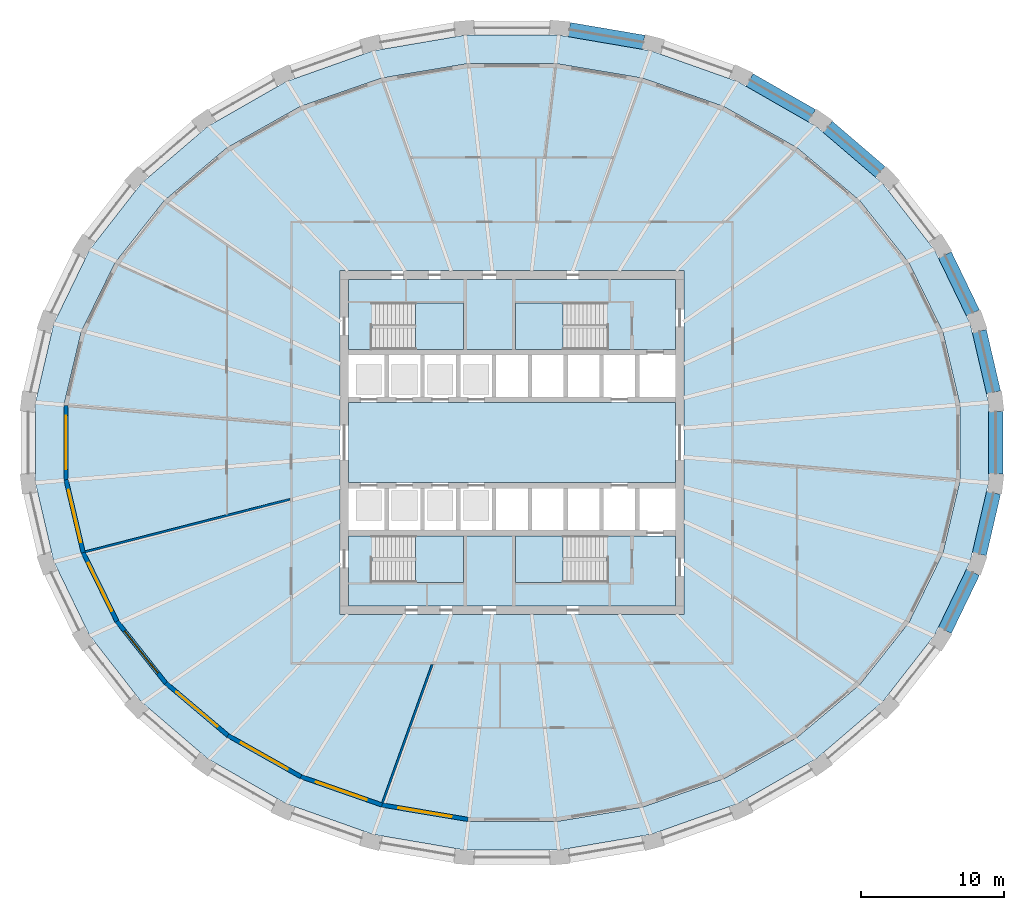
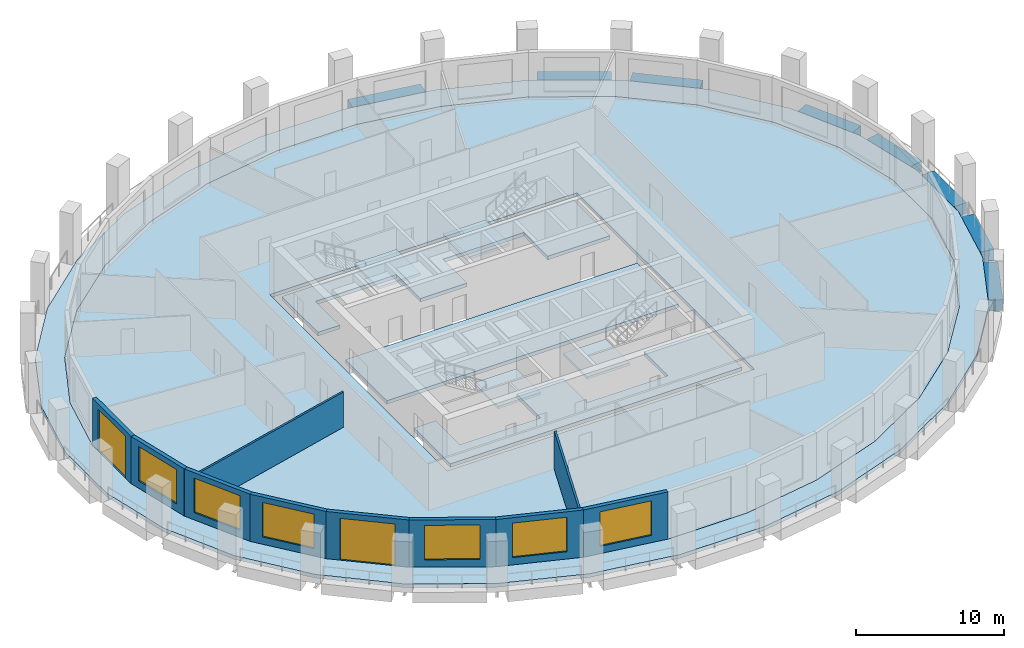
# One storey, part 2 of 10: 10 walls, 9 slabs, 8 beams, 6 windows, 2 doors, 8 openings, 4 elements without a shape of their own.
"""IFC4 building model written with IfcOpenShell, lengths in metres."""

from ifc_helpers import new_model, si_unit, direction, frame, frame_2d, origin, origin_2d, place, context, subcontext, project, spatial, polyline, rectangle, outline, extrude, material, layer, layer_set, material_profile, profile_set, type_object, element, fill, aggregate, save


model = new_model("IFC4")

# Units and contexts
model_context = context("Model", 3, precision=1e-05, world=origin(), true_north=direction((0.0, 1.0)))
body_context = subcontext(model_context, "Body", "Model", "MODEL_VIEW")
ifc_project = project(units=[si_unit("LENGTHUNIT", "METRE"), si_unit("AREAUNIT", "SQUARE_METRE"), si_unit("VOLUMEUNIT", "CUBIC_METRE"), si_unit("PLANEANGLEUNIT", "RADIAN"), si_unit("MASSUNIT", "GRAM", prefix="KILO")], contexts=[model_context])

# Site, building, storey
site_placement = place(None, origin())
site = spatial("IfcSite", under=ifc_project, at=site_placement, CompositionType="ELEMENT")
building_placement = place(site_placement, origin())
building = spatial("IfcBuilding", under=site, at=building_placement, Name="Halqa Exchange Tower", CompositionType="ELEMENT")
storey_placement = place(building_placement, frame((0.0, 0.0, 159.10009765625)))
storey = spatial("IfcBuildingStorey", under=building, at=storey_placement, Name="L36", CompositionType="ELEMENT", Elevation=159.10009765625)

# Beams
ifc_material_1 = material(Name="Concrete C60/75", Category="concrete")
ifc_material_profile = material_profile(ifc_material_1, rectangle(XDim=1.0, YDim=0.89990234375, at=origin_2d()), Name="1000 x 900")
ifc_profile_set = profile_set([ifc_material_profile], Name="Concrete C60/75")
beam_type = type_object("IfcBeamType", Name="RC spandrel beam 1000 x 900 C60/75", PredefinedType="SPANDREL", material=ifc_profile_set)
beam_1_placement = place(storey_placement, frame((33.60498046875, 3.508056640625, -0.4501953125), z_axis=(-0.226050480348, 0.974115588795, 0.0), x_axis=(-0.974115588795, -0.226050480348, 0.0)))
element("IfcBeam", 1, at=beam_1_placement, inside=storey, type_object=beam_type, Name="Spandrel 1", PredefinedType="SPANDREL", context=body_context, shape_type="SweptSolid", body=[
    extrude(rectangle(XDim=1.0, YDim=0.89990234375, at=origin_2d()), origin(), (0.0, 0.0, 1.0), 4.385986328125),
])
beam_2_placement = place(storey_placement, frame((32.166259765625, 9.048828125, -0.4501953125), z_axis=(-0.435099717308, 0.900382272148, 0.0), x_axis=(-0.900382272148, -0.435099717308, 0.0)))
element("IfcBeam", 2, at=beam_2_placement, inside=storey, type_object=beam_type, Name="Spandrel 2", PredefinedType="SPANDREL", context=body_context, shape_type="SweptSolid", body=[
    extrude(rectangle(XDim=1.0, YDim=0.89990234375, at=origin_2d()), origin(), (0.0, 0.0, 1.0), 4.497314453125),
])
beam_3_placement = place(storey_placement, frame((25.70849609375, 18.884521484375, -0.4501953125), z_axis=(-0.759260160399, 0.650787222394, 0.0), x_axis=(-0.650787222394, -0.759260160399, 0.0)))
element("IfcBeam", 3, at=beam_3_placement, inside=storey, type_object=beam_type, Name="Spandrel 4", PredefinedType="SPANDREL", context=body_context, shape_type="SweptSolid", body=[
    extrude(rectangle(XDim=1.0, YDim=0.89990234375, at=origin_2d()), origin(), (0.0, 0.0, 1.0), 4.843505859375),
])
beam_4_placement = place(storey_placement, frame((20.93359375, 22.810791015625, -0.4501953125), z_axis=(-0.867743165303, 0.497012876161, 0.0), x_axis=(-0.497012876161, -0.867743165303, 0.0)))
element("IfcBeam", 4, at=beam_4_placement, inside=storey, type_object=beam_type, Name="Spandrel 5", PredefinedType="SPANDREL", context=body_context, shape_type="SweptSolid", body=[
    extrude(rectangle(XDim=1.0, YDim=0.89990234375, at=origin_2d()), origin(), (0.0, 0.0, 1.0), 5.022705078125),
])
beam_5_placement = place(storey_placement, frame((9.1826171875, 27.936279296875, -0.4501953125), z_axis=(-0.985766792744, 0.168118500836, 0.0), x_axis=(-0.168118500836, -0.985766792744, 0.0)))
element("IfcBeam", 5, at=beam_5_placement, inside=storey, type_object=beam_type, Name="Spandrel 7", PredefinedType="SPANDREL", context=body_context, shape_type="SweptSolid", body=[
    extrude(rectangle(XDim=1.0, YDim=0.89990234375, at=origin_2d()), origin(), (0.0, 0.0, 1.0), 5.26708984375),
])
beam_6_placement = place(storey_placement, frame((30.20947265625, -13.09814453125, -0.4501953125), z_axis=(0.435099717308, 0.900382272148, 0.0), x_axis=(-0.900382272148, 0.435099717308, 0.0)))
element("IfcBeam", 6, at=beam_6_placement, inside=storey, type_object=beam_type, Name="Spandrel 30", PredefinedType="SPANDREL", context=body_context, shape_type="SweptSolid", body=[
    extrude(rectangle(XDim=1.0, YDim=0.89990234375, at=origin_2d()), origin(), (0.0, 0.0, 1.0), 4.497314453125),
])
beam_7_placement = place(storey_placement, frame((32.613525390625, -7.780517578125, -0.4501953125), z_axis=(0.226050480348, 0.974115588795, 0.0), x_axis=(-0.974115588795, 0.226050480348, 0.0)))
element("IfcBeam", 7, at=beam_7_placement, inside=storey, type_object=beam_type, Name="Spandrel 31", PredefinedType="SPANDREL", context=body_context, shape_type="SweptSolid", body=[
    extrude(rectangle(XDim=1.0, YDim=0.89990234375, at=origin_2d()), origin(), (0.0, 0.0, 1.0), 4.385986328125),
])
beam_8_placement = place(storey_placement, frame((33.7578125, -2.173828125, -0.4501953125), z_axis=(0.0, 1.0, 0.0), x_axis=(-1.0, 0.0, 0.0)))
element("IfcBeam", 8, at=beam_8_placement, inside=storey, type_object=beam_type, Name="Spandrel 32", PredefinedType="SPANDREL", context=body_context, shape_type="SweptSolid", body=[
    extrude(rectangle(XDim=1.0, YDim=0.89990234375, at=origin_2d()), origin(), (0.0, 0.0, 1.0), 4.34765625),
])

# Slabs
ifc_layer_1 = layer(ifc_material_1, 0.300048828125)
ifc_layer_set_1 = layer_set([ifc_layer_1], Name="Concrete C60/75")
slab_type_1 = type_object("IfcSlabType", Name="Core floor slab 300", PredefinedType="FLOOR", material=ifc_layer_set_1)
slab_1_placement = place(storey_placement, frame((0.0, 0.0, -0.300048828125)))
element("IfcSlab", 9, at=slab_1_placement, inside=storey, type_object=slab_type_1, Name="Core floor slab", PredefinedType="FLOOR", context=body_context, shape_type="SweptSolid", body=[
    extrude(outline(polyline([(-11.39990234375, 2.800048828125), (11.39990234375, 2.800048828125), (11.39990234375, -2.800048828125), (-11.39990234375, -2.800048828125), (-11.39990234375, 2.800048828125)])), origin(), (0.0, 0.0, 1.0), 0.300048828125),
])
slab_2_placement = place(storey_placement, frame((0.0, 0.0, -0.300048828125)))
element("IfcSlab", 10, at=slab_2_placement, inside=storey, type_object=slab_type_1, Name="Core floor slab", PredefinedType="FLOOR", context=body_context, shape_type="SweptSolid", body=[
    extrude(outline(polyline([(-11.39990234375, 11.39990234375), (11.39990234375, 11.39990234375), (11.39990234375, 6.5), (6.550048828125, 6.5), (6.550048828125, 9.75), (0.25, 9.75), (0.25, 6.5), (-3.39990234375, 6.5), (-3.39990234375, 9.75), (-9.699951171875, 9.75), (-9.699951171875, 6.5), (-11.39990234375, 6.5), (-11.39990234375, 11.39990234375)])), origin(), (0.0, 0.0, 1.0), 0.300048828125),
])
slab_3_placement = place(storey_placement, frame((0.0, 0.0, -0.300048828125)))
element("IfcSlab", 11, at=slab_3_placement, inside=storey, type_object=slab_type_1, Name="Core floor slab", PredefinedType="FLOOR", context=body_context, shape_type="SweptSolid", body=[
    extrude(outline(polyline([(-9.699951171875, -9.75), (-3.39990234375, -9.75), (-3.39990234375, -6.5), (0.25, -6.5), (0.25, -9.75), (6.550048828125, -9.75), (6.550048828125, -6.5), (11.39990234375, -6.5), (11.39990234375, -11.39990234375), (-11.39990234375, -11.39990234375), (-11.39990234375, -6.5), (-9.699951171875, -6.5), (-9.699951171875, -9.75)])), origin(), (0.0, 0.0, 1.0), 0.300048828125),
])
ifc_material_2 = material(Name="Concrete C40/50", Category="concrete")
ifc_layer_2 = layer(ifc_material_2, 0.300048828125)
ifc_layer_set_2 = layer_set([ifc_layer_2], Name="Concrete C40/50")
slab_type_2 = type_object("IfcSlabType", Name="RC floor slab 300", PredefinedType="FLOOR", material=ifc_layer_set_2)
slab_4_placement = place(storey_placement, frame((0.0, 0.0, -0.300048828125)))
element("IfcSlab", 12, at=slab_4_placement, inside=storey, type_object=slab_type_2, Name="Floor slab", PredefinedType="FLOOR", context=body_context, shape_type="SweptSolid", body=[
    extrude(outline(polyline([(31.271240234375, 2.6103515625), (30.065185546875, 7.72900390625), (27.70166015625, 12.547119140625), (24.2734375, 16.878662109375), (19.9150390625, 20.558349609375), (14.794677734375, 23.447021484375), (9.10888671875, 25.435302734375), (3.075439453125, 26.44873046875), (-3.075439453125, 26.44873046875), (-9.10888671875, 25.435302734375), (-14.794677734375, 23.447021484375), (-19.9150390625, 20.558349609375), (-24.2734375, 16.878662109375), (-27.70166015625, 12.547119140625), (-30.065185546875, 7.72900390625), (-31.271240234375, 2.6103515625), (-31.271240234375, -2.6103515625), (-30.065185546875, -7.72900390625), (-27.70166015625, -12.547119140625), (-24.2734375, -16.878662109375), (-19.9150390625, -20.558349609375), (-14.794677734375, -23.447021484375), (-9.10888671875, -25.435302734375), (-3.075439453125, -26.44873046875), (3.075439453125, -26.44873046875), (9.10888671875, -25.435302734375), (14.794677734375, -23.447021484375), (19.9150390625, -20.558349609375), (24.2734375, -16.878662109375), (27.70166015625, -12.547119140625), (30.065185546875, -7.72900390625), (31.271240234375, -2.6103515625), (31.271240234375, 2.6103515625)]), holes=[polyline([(-12.0, -12.0), (12.0, -12.0), (12.0, 12.0), (-12.0, 12.0), (-12.0, -12.0)])]), origin(), (0.0, 0.0, 1.0), 0.300048828125),
])
ifc_layer_3 = layer(ifc_material_2, 0.300048828125)
ifc_layer_set_3 = layer_set([ifc_layer_3], Name="Concrete C40/50")
slab_type_3 = type_object("IfcSlabType", Name="RC loggia slab 300", PredefinedType="FLOOR", material=ifc_layer_set_3)
slab_5_placement = place(storey_placement, frame((0.0, 0.0, -0.300048828125)))
element("IfcSlab", 13, at=slab_5_placement, inside=storey, type_object=slab_type_3, Name="Loggia slab", PredefinedType="FLOOR", context=body_context, shape_type="SweptSolid", body=[
    extrude(outline(polyline([(33.2578125, 2.79248046875), (33.2578125, -2.79248046875), (31.986083984375, -8.272705078125), (29.48876953125, -13.4404296875), (25.85791015625, -18.09814453125), (21.229736328125, -22.06494140625), (15.78076171875, -25.185791015625), (9.72021484375, -27.337646484375), (3.282470703125, -28.435302734375), (-3.282470703125, -28.435302734375), (-9.72021484375, -27.337646484375), (-15.78076171875, -25.185791015625), (-21.229736328125, -22.06494140625), (-25.85791015625, -18.09814453125), (-29.48876953125, -13.4404296875), (-31.986083984375, -8.272705078125), (-33.2578125, -2.79248046875), (-33.2578125, 2.79248046875), (-31.986083984375, 8.272705078125), (-29.48876953125, 13.4404296875), (-25.85791015625, 18.09814453125), (-21.229736328125, 22.06494140625), (-15.78076171875, 25.185791015625), (-9.72021484375, 27.337646484375), (-3.282470703125, 28.435302734375), (3.282470703125, 28.435302734375), (9.72021484375, 27.337646484375), (15.78076171875, 25.185791015625), (21.229736328125, 22.06494140625), (25.85791015625, 18.09814453125), (29.48876953125, 13.4404296875), (31.986083984375, 8.272705078125), (33.2578125, 2.79248046875)]), holes=[polyline([(31.271240234375, 2.6103515625), (30.065185546875, 7.72900390625), (27.70166015625, 12.547119140625), (24.2734375, 16.878662109375), (19.9150390625, 20.558349609375), (14.794677734375, 23.447021484375), (9.10888671875, 25.435302734375), (3.075439453125, 26.44873046875), (-3.075439453125, 26.44873046875), (-9.10888671875, 25.435302734375), (-14.794677734375, 23.447021484375), (-19.9150390625, 20.558349609375), (-24.2734375, 16.878662109375), (-27.70166015625, 12.547119140625), (-30.065185546875, 7.72900390625), (-31.271240234375, 2.6103515625), (-31.271240234375, -2.6103515625), (-30.065185546875, -7.72900390625), (-27.70166015625, -12.547119140625), (-24.2734375, -16.878662109375), (-19.9150390625, -20.558349609375), (-14.794677734375, -23.447021484375), (-9.10888671875, -25.435302734375), (-3.075439453125, -26.44873046875), (3.075439453125, -26.44873046875), (9.10888671875, -25.435302734375), (14.794677734375, -23.447021484375), (19.9150390625, -20.558349609375), (24.2734375, -16.878662109375), (27.70166015625, -12.547119140625), (30.065185546875, -7.72900390625), (31.271240234375, -2.6103515625), (31.271240234375, 2.6103515625)])]), origin(), (0.0, 0.0, 1.0), 0.300048828125),
])

# Stair, slab
ifc_material_3 = material(Name="Concrete C30/37", Category="concrete")
stair_type = type_object("IfcStairType", Name="Exit stair 1500 wide", PredefinedType="HALF_TURN_STAIR", material=ifc_material_3)
stair_1_placement = place(storey_placement, origin())
stair_1 = element("IfcStair", 14, at=stair_1_placement, inside=storey, type_object=stair_type, Name="Exit stair ST1", PredefinedType="HALF_TURN_STAIR")
ifc_layer_4 = layer(ifc_material_3, 0.199951171875)
ifc_layer_set_4 = layer_set([ifc_layer_4], Name="Concrete C30/37")
slab_type_4 = type_object("IfcSlabType", Name="Stair landing 200 slab", PredefinedType="LANDING", material=ifc_layer_set_4)
slab_6_placement = place(storey_placement, frame((0.0, 0.0, 1.89990234375)))
slab_6 = element("IfcSlab", 15, at=slab_6_placement, type_object=slab_type_4, Name="ST1 landing 1", PredefinedType="LANDING", context=body_context, shape_type="SweptSolid", body=[
    extrude(outline(polyline([(-6.719970703125, 6.5), (-3.39990234375, 6.5), (-3.39990234375, 9.75), (-6.719970703125, 9.75), (-6.719970703125, 6.5)])), origin(), (0.0, 0.0, 1.0), 0.199951171875),
])
aggregate(stair_1, [slab_6])

stair_2_placement = place(storey_placement, origin())
stair_2 = element("IfcStair", 16, at=stair_2_placement, inside=storey, type_object=stair_type, Name="Exit stair ST2", PredefinedType="HALF_TURN_STAIR")
slab_7_placement = place(storey_placement, frame((0.0, 0.0, 1.89990234375)))
slab_7 = element("IfcSlab", 17, at=slab_7_placement, type_object=slab_type_4, Name="ST2 landing 1", PredefinedType="LANDING", context=body_context, shape_type="SweptSolid", body=[
    extrude(outline(polyline([(0.25, 6.5), (3.570068359375, 6.5), (3.570068359375, 9.75), (0.25, 9.75), (0.25, 6.5)])), origin(), (0.0, 0.0, 1.0), 0.199951171875),
])
aggregate(stair_2, [slab_7])

stair_3_placement = place(storey_placement, origin())
stair_3 = element("IfcStair", 18, at=stair_3_placement, inside=storey, type_object=stair_type, Name="Exit stair ST3", PredefinedType="HALF_TURN_STAIR")
slab_8_placement = place(storey_placement, frame((0.0, 0.0, 1.89990234375)))
slab_8 = element("IfcSlab", 19, at=slab_8_placement, type_object=slab_type_4, Name="ST3 landing 1", PredefinedType="LANDING", context=body_context, shape_type="SweptSolid", body=[
    extrude(outline(polyline([(-6.719970703125, -9.75), (-3.39990234375, -9.75), (-3.39990234375, -6.5), (-6.719970703125, -6.5), (-6.719970703125, -9.75)])), origin(), (0.0, 0.0, 1.0), 0.199951171875),
])
aggregate(stair_3, [slab_8])

stair_4_placement = place(storey_placement, origin())
stair_4 = element("IfcStair", 20, at=stair_4_placement, inside=storey, type_object=stair_type, Name="Exit stair ST4", PredefinedType="HALF_TURN_STAIR")
slab_9_placement = place(storey_placement, frame((0.0, 0.0, 1.89990234375)))
slab_9 = element("IfcSlab", 21, at=slab_9_placement, type_object=slab_type_4, Name="ST4 landing 1", PredefinedType="LANDING", context=body_context, shape_type="SweptSolid", body=[
    extrude(outline(polyline([(0.25, -9.75), (3.570068359375, -9.75), (3.570068359375, -6.5), (0.25, -6.5), (0.25, -9.75)])), origin(), (0.0, 0.0, 1.0), 0.199951171875),
])
aggregate(stair_4, [slab_9])

# Walls
ifc_material_4 = material(Name="Fire-rated gypsum board")
ifc_layer_5 = layer(ifc_material_4, 0.14990234375)
ifc_layer_set_5 = layer_set([ifc_layer_5], Name="Fire-rated gypsum board")
wall_type_1 = type_object("IfcWallType", Name="Fire partition EI 60 150", PredefinedType="PARTITIONING", material=ifc_layer_set_5)
wall_1_placement = place(storey_placement, frame((-29.780517578125, -7.623291015625, 0.0), z_axis=(0.0, 0.0, 1.0), x_axis=(0.968729735343, 0.248118318272, 0.0)))
element("IfcWall", 22, at=wall_1_placement, inside=storey, type_object=wall_type_1, Name="L36-PWL-002", PredefinedType="PARTITIONING", context=body_context, shape_type="SweptSolid", body=[
    extrude(outline(polyline([(0.013427734375, -0.074951171875), (1.855224609375, -0.074951171875), (3.697021484375, -0.074951171875), (5.538818359375, -0.074951171875), (7.380615234375, -0.074951171875), (9.22265625, -0.074951171875), (11.064453125, -0.074951171875), (12.90625, -0.074951171875), (14.748046875, -0.074951171875), (14.7861328125, 0.073486328125), (14.7861328125, 0.074951171875), (13.28076171875, 0.074951171875), (11.775634765625, 0.074951171875), (10.270263671875, 0.074951171875), (10.270263671875, 0.074951171875), (10.27001953125, 0.074951171875), (8.558349609375, 0.074951171875), (6.8466796875, 0.074951171875), (5.135009765625, 0.074951171875), (3.42333984375, 0.074951171875), (1.711669921875, 0.074951171875), (0.0, 0.074951171875), (0.0, 0.070556640625), (0.0, -0.0107421875), (0.013427734375, -0.074951171875)])), origin(), (0.0, 0.0, 1.0), 2.909912109375),
])
wall_2_placement = place(storey_placement, frame((-9.036865234375, -25.143310546875, 0.0), z_axis=(0.0, 0.0, 1.0), x_axis=(0.338668278724, 0.940905838533, 0.0)))
element("IfcWall", 23, at=wall_2_placement, inside=storey, type_object=wall_type_1, Name="L36-PWL-010", PredefinedType="PARTITIONING", context=body_context, shape_type="SweptSolid", body=[
    extrude(outline(polyline([(0.013671875, -0.074951171875), (1.892822265625, -0.074951171875), (3.77197265625, -0.074951171875), (5.651123046875, -0.074951171875), (5.652587890625, -0.074462890625), (5.65283203125, -0.074951171875), (7.20263671875, -0.074951171875), (8.75244140625, -0.074951171875), (10.30224609375, -0.074951171875), (10.30224609375, -0.07421875), (10.30029296875, -0.068603515625), (10.30029296875, -0.068603515625), (10.24853515625, 0.074951171875), (8.54052734375, 0.074951171875), (6.832275390625, 0.074951171875), (5.124267578125, 0.074951171875), (3.416259765625, 0.074951171875), (1.7080078125, 0.074951171875), (0.0, 0.074951171875), (0.0, 0.054443359375), (0.00048828125, -0.0029296875), (0.013671875, -0.074951171875)])), origin(), (0.0, 0.0, 1.0), 3.14697265625),
])

# Wall, opening, door
ifc_material_5 = material(Name="Limestone cladding", Category="masonry")
ifc_layer_6 = layer(ifc_material_5, 0.0400390625)
ifc_material_6 = material(Name="Ventilated cavity")
ifc_layer_7 = layer(ifc_material_6, 0.030029296875, ventilated=True)
ifc_material_7 = material(Name="Mineral wool insulation")
ifc_layer_8 = layer(ifc_material_7, 0.10009765625)
ifc_layer_9 = layer(ifc_material_3, 0.10009765625)
ifc_material_8 = material(Name="Internal plaster")
ifc_layer_10 = layer(ifc_material_8, 0.030029296875)
ifc_layer_set_6 = layer_set([ifc_layer_6, ifc_layer_7, ifc_layer_8, ifc_layer_9, ifc_layer_10], Name="Stone-faced insulated wall 300")
wall_type_2 = type_object("IfcWallType", Name="Stone-faced insulated wall 300", PredefinedType="STANDARD", material=ifc_layer_set_6)
wall_3_placement = place(storey_placement, frame((-31.12109375, 2.5927734375, 0.0), z_axis=(0.0, 0.0, 1.0), x_axis=(0.0, -1.0, 0.0)))
wall_3 = element("IfcWall", 24, at=wall_3_placement, inside=storey, type_object=wall_type_2, Name="Glass-line wall 16", PredefinedType="STANDARD", context=body_context, shape_type="SweptSolid", body=[
    extrude(outline(polyline([(-0.017333984375, -0.14990234375), (5.202880859375, -0.14990234375), (5.168212890625, 0.14990234375), (0.017333984375, 0.14990234375), (-0.017333984375, -0.14990234375)])), origin(), (0.0, 0.0, 1.0), 3.89990234375),
])
opening_1_placement = place(wall_3_placement, frame((0.7177734375, 0.0, 0.0)))
opening_1 = element("IfcOpeningElement", 25, at=opening_1_placement, cuts=wall_3, Name="Opening LG-F2-04", PredefinedType="OPENING", context=body_context, shape_type="SweptSolid", body=[
    extrude(rectangle(XDim=3.75, YDim=3.449951171875, at=frame_2d((1.875, 1.72509765625))), frame((0.0, 0.162109375, 0.0), z_axis=(0.0, -1.0, 0.0), x_axis=(1.0, 0.0, 0.0)), (0.0, 0.0, 1.0), 0.323974609375),
])
ifc_material_9 = material(Name="Clear low-emissivity glass in aluminium frame", Category="aluminium")
door_type = type_object("IfcDoorType", Name="Glazed sliding loggia door 3750 x 3450", OperationType="DOUBLE_DOOR_SLIDING", PredefinedType="DOOR", material=ifc_material_9)
door_1_placement = place(opening_1_placement, origin())
door_1 = element("IfcDoor", 26, at=door_1_placement, inside=storey, type_object=door_type, Name="Loggia door 4", OperationType="DOUBLE_DOOR_SLIDING", OverallHeight=3.449951171875, OverallWidth=3.75, PredefinedType="DOOR", context=body_context, shape_type="SweptSolid", body=[
    extrude(rectangle(XDim=3.75, YDim=3.449951171875, at=frame_2d((1.875, 1.72509765625))), frame((0.0, 0.02490234375, 0.0), z_axis=(0.0, -1.0, 0.0), x_axis=(1.0, 0.0, 0.0)), (0.0, 0.0, 1.0), 0.050048828125),
])
fill(opening_1, door_1)

# Wall, opening, window
wall_4_placement = place(storey_placement, frame((-31.12109375, -2.5927734375, 0.0), z_axis=(0.0, 0.0, 1.0), x_axis=(0.229297175564, -0.973356463624, 0.0)))
wall_4 = element("IfcWall", 27, at=wall_4_placement, inside=storey, type_object=wall_type_2, Name="Glass-line wall 17", PredefinedType="STANDARD", context=body_context, shape_type="SweptSolid", body=[
    extrude(outline(polyline([(-0.017333984375, -0.14990234375), (5.241455078125, -0.14990234375), (5.207763671875, 0.14990234375), (0.017333984375, 0.14990234375), (-0.017333984375, -0.14990234375)])), origin(), (0.0, 0.0, 1.0), 3.89990234375),
])
opening_2_placement = place(wall_4_placement, frame((0.7373046875, 0.0, 0.60009765625)))
opening_2 = element("IfcOpeningElement", 28, at=opening_2_placement, cuts=wall_4, Name="Opening W-F2-17", PredefinedType="OPENING", context=body_context, shape_type="SweptSolid", body=[
    extrude(rectangle(XDim=3.75, YDim=2.85009765625, at=frame_2d((1.875, 1.425048828125))), frame((0.0, 0.162109375, 0.0), z_axis=(0.0, -1.0, 0.0), x_axis=(1.0, 0.0, 0.0)), (0.0, 0.0, 1.0), 0.323974609375),
])
window_type = type_object("IfcWindowType", Name="Fixed clear glazed window 3750 x 2850", PartitioningType="TRIPLE_PANEL_VERTICAL", PredefinedType="WINDOW", material=ifc_material_9)
window_1_placement = place(opening_2_placement, origin())
window_1 = element("IfcWindow", 29, at=window_1_placement, inside=storey, type_object=window_type, Name="Window 2", OverallHeight=2.85009765625, OverallWidth=3.75, PartitioningType="TRIPLE_PANEL_VERTICAL", PredefinedType="WINDOW", context=body_context, shape_type="SweptSolid", body=[
    extrude(rectangle(XDim=3.75, YDim=2.85009765625, at=frame_2d((1.875, 1.425048828125))), frame((0.0, 0.030029296875, 0.0), z_axis=(0.0, -1.0, 0.0), x_axis=(1.0, 0.0, 0.0)), (0.0, 0.0, 1.0), 0.06005859375),
])
fill(opening_2, window_1)

wall_5_placement = place(storey_placement, frame((-29.923095703125, -7.67822265625, 0.0), z_axis=(0.0, 0.0, 1.0), x_axis=(0.440444485575, -0.897779847806, 0.0)))
wall_5 = element("IfcWall", 30, at=wall_5_placement, inside=storey, type_object=wall_type_2, Name="Glass-line wall 18", PredefinedType="STANDARD", context=body_context, shape_type="SweptSolid", body=[
    extrude(outline(polyline([(-0.016845703125, -0.14990234375), (5.349609375, -0.14990234375), (5.3173828125, 0.14990234375), (0.016845703125, 0.14990234375), (-0.016845703125, -0.14990234375)])), origin(), (0.0, 0.0, 1.0), 3.89990234375),
])
opening_3_placement = place(wall_5_placement, frame((0.791748046875, 0.0, 0.60009765625)))
opening_3 = element("IfcOpeningElement", 31, at=opening_3_placement, cuts=wall_5, Name="Opening W-F2-18", PredefinedType="OPENING", context=body_context, shape_type="SweptSolid", body=[
    extrude(rectangle(XDim=3.75, YDim=2.85009765625, at=frame_2d((1.875, 1.425048828125))), frame((0.0, 0.162109375, 0.0), z_axis=(0.0, -1.0, 0.0), x_axis=(1.0, 0.0, 0.0)), (0.0, 0.0, 1.0), 0.323974609375),
])
window_2_placement = place(opening_3_placement, origin())
window_2 = element("IfcWindow", 32, at=window_2_placement, inside=storey, type_object=window_type, Name="Window 2", OverallHeight=2.85009765625, OverallWidth=3.75, PartitioningType="TRIPLE_PANEL_VERTICAL", PredefinedType="WINDOW", context=body_context, shape_type="SweptSolid", body=[
    extrude(rectangle(XDim=3.75, YDim=2.85009765625, at=frame_2d((1.875, 1.425048828125))), frame((0.0, 0.030029296875, 0.0), z_axis=(0.0, -1.0, 0.0), x_axis=(1.0, 0.0, 0.0)), (0.0, 0.0, 1.0), 0.06005859375),
])
fill(opening_3, window_2)

wall_6_placement = place(storey_placement, frame((-27.573974609375, -12.466552734375, 0.0), z_axis=(0.0, 0.0, 1.0), x_axis=(0.620577705153, -0.784144955902, 0.0)))
wall_6 = element("IfcWall", 33, at=wall_6_placement, inside=storey, type_object=wall_type_2, Name="Glass-line wall 19", PredefinedType="STANDARD", context=body_context, shape_type="SweptSolid", body=[
    extrude(outline(polyline([(-0.01611328125, -0.14990234375), (5.5078125, -0.14990234375), (5.4775390625, 0.14990234375), (0.01611328125, 0.14990234375), (-0.01611328125, -0.14990234375)])), origin(), (0.0, 0.0, 1.0), 3.89990234375),
])
opening_4_placement = place(wall_6_placement, frame((0.871337890625, 0.0, 0.60009765625)))
opening_4 = element("IfcOpeningElement", 34, at=opening_4_placement, cuts=wall_6, Name="Opening W-F2-19", PredefinedType="OPENING", context=body_context, shape_type="SweptSolid", body=[
    extrude(rectangle(XDim=3.75, YDim=2.85009765625, at=frame_2d((1.875, 1.425048828125))), frame((0.0, 0.162109375, 0.0), z_axis=(0.0, -1.0, 0.0), x_axis=(1.0, 0.0, 0.0)), (0.0, 0.0, 1.0), 0.323974609375),
])
window_3_placement = place(opening_4_placement, origin())
window_3 = element("IfcWindow", 35, at=window_3_placement, inside=storey, type_object=window_type, Name="Window 2", OverallHeight=2.85009765625, OverallWidth=3.75, PartitioningType="TRIPLE_PANEL_VERTICAL", PredefinedType="WINDOW", context=body_context, shape_type="SweptSolid", body=[
    extrude(rectangle(XDim=3.75, YDim=2.85009765625, at=frame_2d((1.875, 1.425048828125))), frame((0.0, 0.030029296875, 0.0), z_axis=(0.0, -1.0, 0.0), x_axis=(1.0, 0.0, 0.0)), (0.0, 0.0, 1.0), 0.06005859375),
])
fill(opening_4, window_3)

# Wall, opening, door
wall_7_placement = place(storey_placement, frame((-24.165283203125, -16.773681640625, 0.0), z_axis=(0.0, 0.0, 1.0), x_axis=(0.764076096085, -0.645126126732, 0.0)))
wall_7 = element("IfcWall", 36, at=wall_7_placement, inside=storey, type_object=wall_type_2, Name="Glass-line wall 20", PredefinedType="STANDARD", context=body_context, shape_type="SweptSolid", body=[
    extrude(outline(polyline([(-0.01513671875, -0.14990234375), (5.689208984375, -0.14990234375), (5.660888671875, 0.14990234375), (0.01513671875, 0.14990234375), (-0.01513671875, -0.14990234375)])), origin(), (0.0, 0.0, 1.0), 3.89990234375),
])
opening_5_placement = place(wall_7_placement, frame((0.96240234375, 0.0, 0.0)))
opening_5 = element("IfcOpeningElement", 37, at=opening_5_placement, cuts=wall_7, Name="Opening LG-F2-05", PredefinedType="OPENING", context=body_context, shape_type="SweptSolid", body=[
    extrude(rectangle(XDim=3.75, YDim=3.449951171875, at=frame_2d((1.875, 1.72509765625))), frame((0.0, 0.162109375, 0.0), z_axis=(0.0, -1.0, 0.0), x_axis=(1.0, 0.0, 0.0)), (0.0, 0.0, 1.0), 0.323974609375),
])
door_2_placement = place(opening_5_placement, origin())
door_2 = element("IfcDoor", 38, at=door_2_placement, inside=storey, type_object=door_type, Name="Loggia door 5", OperationType="DOUBLE_DOOR_SLIDING", OverallHeight=3.449951171875, OverallWidth=3.75, PredefinedType="DOOR", context=body_context, shape_type="SweptSolid", body=[
    extrude(rectangle(XDim=3.75, YDim=3.449951171875, at=frame_2d((1.875, 1.72509765625))), frame((0.0, 0.02490234375, 0.0), z_axis=(0.0, -1.0, 0.0), x_axis=(1.0, 0.0, 0.0)), (0.0, 0.0, 1.0), 0.050048828125),
])
fill(opening_5, door_2)

# Wall, opening, window
wall_8_placement = place(storey_placement, frame((-19.8291015625, -20.434814453125, 0.0), z_axis=(0.0, 0.0, 1.0), x_axis=(0.870982130072, -0.491314694565, 0.0)))
wall_8 = element("IfcWall", 39, at=wall_8_placement, inside=storey, type_object=wall_type_2, Name="Glass-line wall 21", PredefinedType="STANDARD", context=body_context, shape_type="SweptSolid", body=[
    extrude(outline(polyline([(-0.01416015625, -0.14990234375), (5.864990234375, -0.14990234375), (5.838134765625, 0.14990234375), (0.01416015625, 0.14990234375), (-0.01416015625, -0.14990234375)])), origin(), (0.0, 0.0, 1.0), 3.89990234375),
])
opening_6_placement = place(wall_8_placement, frame((1.05078125, 0.0, 0.60009765625)))
opening_6 = element("IfcOpeningElement", 40, at=opening_6_placement, cuts=wall_8, Name="Opening W-F2-21", PredefinedType="OPENING", context=body_context, shape_type="SweptSolid", body=[
    extrude(rectangle(XDim=3.75, YDim=2.85009765625, at=frame_2d((1.875, 1.425048828125))), frame((0.0, 0.162109375, 0.0), z_axis=(0.0, -1.0, 0.0), x_axis=(1.0, 0.0, 0.0)), (0.0, 0.0, 1.0), 0.323974609375),
])
window_4_placement = place(opening_6_placement, origin())
window_4 = element("IfcWindow", 41, at=window_4_placement, inside=storey, type_object=window_type, Name="Window 2", OverallHeight=2.85009765625, OverallWidth=3.75, PartitioningType="TRIPLE_PANEL_VERTICAL", PredefinedType="WINDOW", context=body_context, shape_type="SweptSolid", body=[
    extrude(rectangle(XDim=3.75, YDim=2.85009765625, at=frame_2d((1.875, 1.425048828125))), frame((0.0, 0.030029296875, 0.0), z_axis=(0.0, -1.0, 0.0), x_axis=(1.0, 0.0, 0.0)), (0.0, 0.0, 1.0), 0.06005859375),
])
fill(opening_6, window_4)

wall_9_placement = place(storey_placement, frame((-14.732421875, -23.309814453125, 0.0), z_axis=(0.0, 0.0, 1.0), x_axis=(0.943944636678, -0.330103806228, 0.0)))
wall_9 = element("IfcWall", 42, at=wall_9_placement, inside=storey, type_object=wall_type_2, Name="Glass-line wall 22", PredefinedType="STANDARD", context=body_context, shape_type="SweptSolid", body=[
    extrude(outline(polyline([(-0.013427734375, -0.14990234375), (6.010009765625, -0.14990234375), (5.984619140625, 0.14990234375), (0.013427734375, 0.14990234375), (-0.013427734375, -0.14990234375)])), origin(), (0.0, 0.0, 1.0), 3.89990234375),
])
opening_7_placement = place(wall_9_placement, frame((1.12353515625, 0.0, 0.60009765625)))
opening_7 = element("IfcOpeningElement", 43, at=opening_7_placement, cuts=wall_9, Name="Opening W-F2-22", PredefinedType="OPENING", context=body_context, shape_type="SweptSolid", body=[
    extrude(rectangle(XDim=3.75, YDim=2.85009765625, at=frame_2d((1.875, 1.425048828125))), frame((0.0, 0.162109375, 0.0), z_axis=(0.0, -1.0, 0.0), x_axis=(1.0, 0.0, 0.0)), (0.0, 0.0, 1.0), 0.323974609375),
])
window_5_placement = place(opening_7_placement, origin())
window_5 = element("IfcWindow", 44, at=window_5_placement, inside=storey, type_object=window_type, Name="Window 2", OverallHeight=2.85009765625, OverallWidth=3.75, PartitioningType="TRIPLE_PANEL_VERTICAL", PredefinedType="WINDOW", context=body_context, shape_type="SweptSolid", body=[
    extrude(rectangle(XDim=3.75, YDim=2.85009765625, at=frame_2d((1.875, 1.425048828125))), frame((0.0, 0.030029296875, 0.0), z_axis=(0.0, -1.0, 0.0), x_axis=(1.0, 0.0, 0.0)), (0.0, 0.0, 1.0), 0.06005859375),
])
fill(opening_7, window_5)

wall_10_placement = place(storey_placement, frame((-9.0712890625, -25.28955078125, 0.0), z_axis=(0.0, 0.0, 1.0), x_axis=(0.98618955457, -0.165620537547, 0.0)))
wall_10 = element("IfcWall", 45, at=wall_10_placement, inside=storey, type_object=wall_type_2, Name="Glass-line wall 23", PredefinedType="STANDARD", context=body_context, shape_type="SweptSolid", body=[
    extrude(outline(polyline([(-0.0126953125, -0.14990234375), (6.10498046875, -0.14990234375), (6.080078125, 0.14990234375), (0.0126953125, 0.14990234375), (-0.0126953125, -0.14990234375)])), origin(), (0.0, 0.0, 1.0), 3.89990234375),
])
opening_8_placement = place(wall_10_placement, frame((1.17138671875, 0.0, 0.60009765625)))
opening_8 = element("IfcOpeningElement", 46, at=opening_8_placement, cuts=wall_10, Name="Opening W-F2-23", PredefinedType="OPENING", context=body_context, shape_type="SweptSolid", body=[
    extrude(rectangle(XDim=3.75, YDim=2.85009765625, at=frame_2d((1.875, 1.425048828125))), frame((0.0, 0.162109375, 0.0), z_axis=(0.0, -1.0, 0.0), x_axis=(1.0, 0.0, 0.0)), (0.0, 0.0, 1.0), 0.323974609375),
])
window_6_placement = place(opening_8_placement, origin())
window_6 = element("IfcWindow", 47, at=window_6_placement, inside=storey, type_object=window_type, Name="Window 2", OverallHeight=2.85009765625, OverallWidth=3.75, PartitioningType="TRIPLE_PANEL_VERTICAL", PredefinedType="WINDOW", context=body_context, shape_type="SweptSolid", body=[
    extrude(rectangle(XDim=3.75, YDim=2.85009765625, at=frame_2d((1.875, 1.425048828125))), frame((0.0, 0.030029296875, 0.0), z_axis=(0.0, -1.0, 0.0), x_axis=(1.0, 0.0, 0.0)), (0.0, 0.0, 1.0), 0.06005859375),
])
fill(opening_8, window_6)

save(model, "model.ifc")
